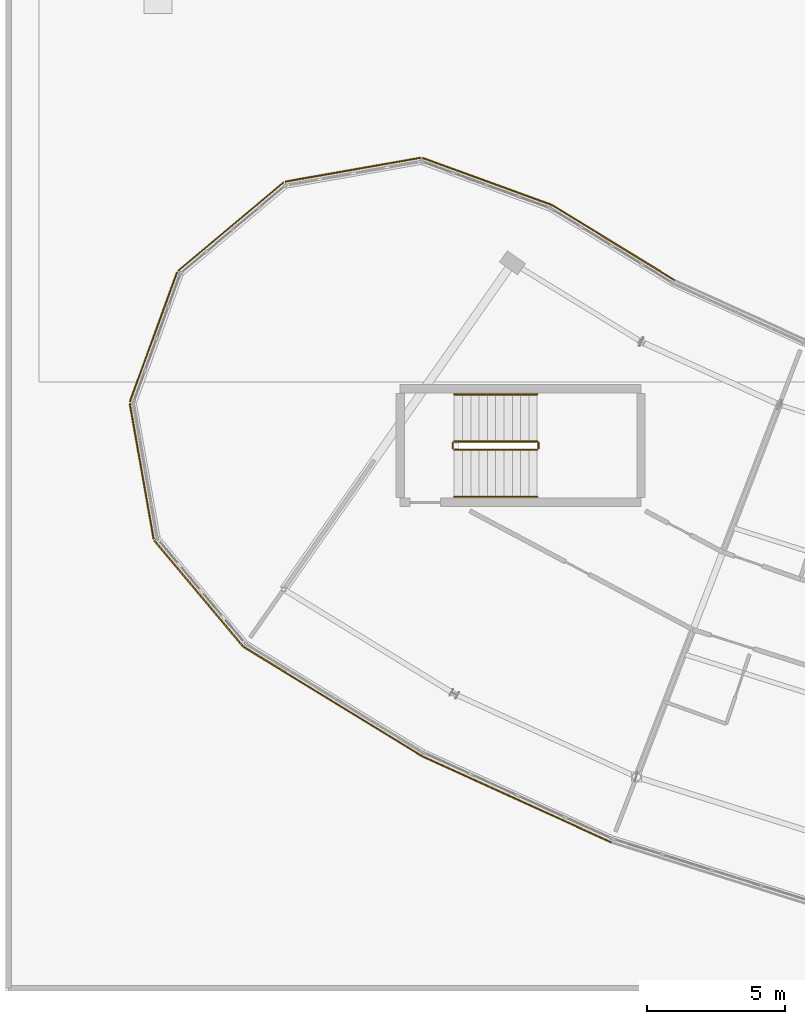
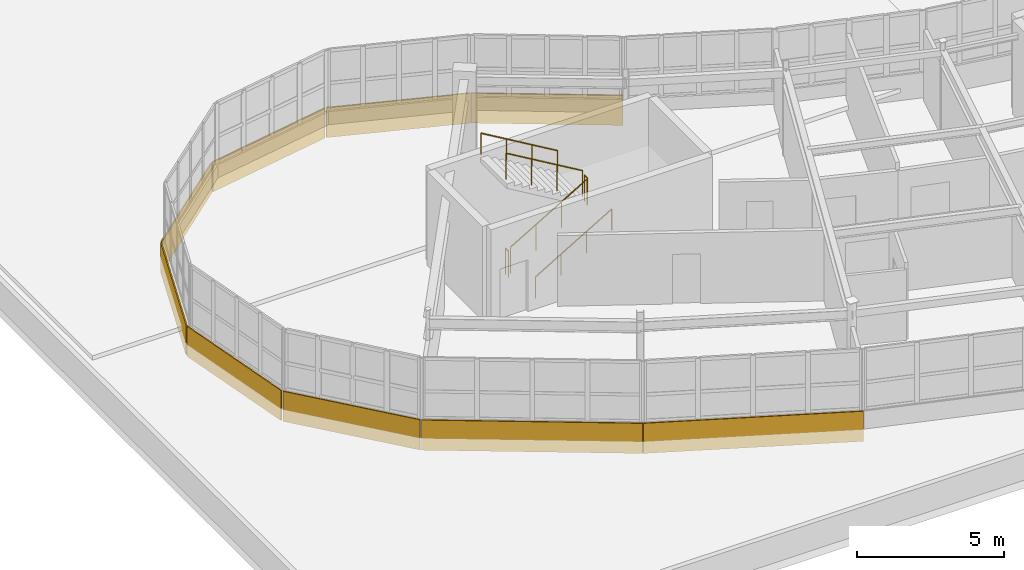
# One storey, part 114 of 128: 9 coverings, 6 railings.
"""IFC4 building model written with IfcOpenShell, lengths in metres."""

from ifc_helpers import new_model, si_unit, direction, frame, origin, origin_2d, place, context, subcontext, project, spatial, rectangle, circle, extrude, material, layer, layer_set, type_object, element, save


model = new_model("IFC4")

# Units and contexts
model_context = context("Model", 3, precision=1e-05, world=origin(), true_north=direction((0.0, 1.0)))
body_context = subcontext(model_context, "Body", "Model", "MODEL_VIEW")
ifc_project = project(units=[si_unit("LENGTHUNIT", "METRE"), si_unit("AREAUNIT", "SQUARE_METRE"), si_unit("VOLUMEUNIT", "CUBIC_METRE"), si_unit("PLANEANGLEUNIT", "RADIAN"), si_unit("MASSUNIT", "GRAM", prefix="KILO")], contexts=[model_context])

# Site, building, storey
site_placement = place(None, origin())
site = spatial("IfcSite", under=ifc_project, at=site_placement, CompositionType="ELEMENT")
building_placement = place(site_placement, origin())
building = spatial("IfcBuilding", under=site, at=building_placement, Name="Tarnwether General Hospital", CompositionType="ELEMENT")
storey_placement = place(building_placement, frame((0.0, 0.0, 14.39990234375)))
storey = spatial("IfcBuildingStorey", under=building, at=storey_placement, Name="L03", CompositionType="ELEMENT", Elevation=14.39990234375)

# Coverings
ifc_material_1 = material(Name="Streamlined white enamelled aluminium", Category="aluminium")
ifc_layer = layer(ifc_material_1, 0.044921875)
ifc_layer_set = layer_set([ifc_layer], Name="Streamlined white enamelled aluminium")
covering_type = type_object("IfcCoveringType", Name="CV-CLD-WHT", PredefinedType="CLADDING", material=ifc_layer_set)
for number, where, z_axis, x_axis, name in (
    (1, (59.805908203125, 10.4619140625, -0.1748046875), (0.0, 0.0, 1.0), (-0.852631044904, 0.522513446015, 0.0), "Streamlined White Horizontal Band SE L03 01"),
    (2, (66.447998046875, 6.929931640625, -0.1748046875), (0.0, 0.0, 1.0), (-0.909961270877, 0.414693242656, 0.0), "Streamlined White Horizontal Band SE L03 02"),
):
    element("IfcCovering", number, at=place(storey_placement, frame(where, z_axis=z_axis, x_axis=x_axis)), inside=storey, type_object=covering_type, Name=name, PredefinedType="CLADDING", context=body_context, shape_type="SweptSolid", body=[
        extrude(rectangle(XDim=7.52099609375, YDim=0.044921875, at=origin_2d()), origin(), (0.0, 0.0, 1.0), 1.25),
    ])
covering_1_placement = place(storey_placement, frame((69.9560546875, 27.028076171875, -0.1748046875), z_axis=(0.0, 0.0, 1.0), x_axis=(0.852631044904, -0.522513446015, 0.0)))
element("IfcCovering", 3, at=covering_1_placement, inside=storey, type_object=covering_type, Name="Streamlined White Horizontal Band SE L03 26", PredefinedType="CLADDING", context=body_context, shape_type="SweptSolid", body=[
    extrude(rectangle(XDim=5.177001953125, YDim=0.044921875, at=origin_2d()), origin(), (0.0, 0.0, 1.0), 1.25),
])
covering_2_placement = place(storey_placement, frame((65.39111328125, 29.241943359375, -0.1748046875), z_axis=(0.0, 0.0, 1.0), x_axis=(0.93965082813, -0.342134945884, 0.0)))
element("IfcCovering", 4, at=covering_2_placement, inside=storey, type_object=covering_type, Name="Streamlined White Horizontal Band SE L03 27", PredefinedType="CLADDING", context=body_context, shape_type="SweptSolid", body=[
    extrude(rectangle(XDim=4.968994140625, YDim=0.044921875, at=origin_2d()), origin(), (0.0, 0.0, 1.0), 1.25),
])
for number, where, z_axis, x_axis, name in (
    (5, (60.541015625, 29.666015625, -0.1748046875), (0.0, 0.0, 1.0), (0.98480472213, 0.173665365778, 0.0), "Streamlined White Horizontal Band SE L03 28"),
    (6, (56.12890625, 27.60888671875, -0.1748046875), (0.0, 0.0, 1.0), (0.765988346401, 0.642854457228, 0.0), "Streamlined White Horizontal Band SE L03 29"),
):
    element("IfcCovering", number, at=place(storey_placement, frame(where, z_axis=z_axis, x_axis=x_axis)), inside=storey, type_object=covering_type, Name=name, PredefinedType="CLADDING", context=body_context, shape_type="SweptSolid", body=[
        extrude(rectangle(XDim=4.969970703125, YDim=0.044921875, at=origin_2d()), origin(), (0.0, 0.0, 1.0), 1.25),
    ])
covering_3_placement = place(storey_placement, frame((53.3359375, 23.62109375, -0.1748046875), z_axis=(0.0, 0.0, 1.0), x_axis=(0.341954539571, 0.939716496006, 0.0)))
element("IfcCovering", 7, at=covering_3_placement, inside=storey, type_object=covering_type, Name="Streamlined White Horizontal Band SE L03 30", PredefinedType="CLADDING", context=body_context, shape_type="SweptSolid", body=[
    extrude(rectangle(XDim=4.968017578125, YDim=0.044921875, at=origin_2d()), origin(), (0.0, 0.0, 1.0), 1.25),
])
covering_4_placement = place(storey_placement, frame((52.912109375, 18.77099609375, -0.1748046875), z_axis=(0.0, 0.0, 1.0), x_axis=(-0.173459104952, 0.984841072919, 0.0)))
element("IfcCovering", 8, at=covering_4_placement, inside=storey, type_object=covering_type, Name="Streamlined White Horizontal Band SE L03 31", PredefinedType="CLADDING", context=body_context, shape_type="SweptSolid", body=[
    extrude(rectangle(XDim=4.968994140625, YDim=0.044921875, at=origin_2d()), origin(), (0.0, 0.0, 1.0), 1.25),
])
covering_5_placement = place(storey_placement, frame((54.968994140625, 14.35888671875, -0.1748046875), z_axis=(0.0, 0.0, 1.0), x_axis=(-0.642854457228, 0.765988346401, 0.0)))
element("IfcCovering", 9, at=covering_5_placement, inside=storey, type_object=covering_type, Name="Streamlined White Horizontal Band SE L03 32", PredefinedType="CLADDING", context=body_context, shape_type="SweptSolid", body=[
    extrude(rectangle(XDim=4.969970703125, YDim=0.044921875, at=origin_2d()), origin(), (0.0, 0.0, 1.0), 1.25),
])

# Railings
ifc_material_2 = material(Name="Anodised aluminium", Category="aluminium")
railing_type_1 = type_object("IfcRailingType", Name="RL-GRD-INT", PredefinedType="GUARDRAIL", material=ifc_material_2)
railing_1_placement = place(storey_placement, frame((64.199951171875, 19.550048828125, 0.177490234375)))
element("IfcRailing", 10, at=railing_1_placement, inside=storey, type_object=railing_type_1, Name="L03 ST-09 stair guard 1", PredefinedType="GUARDRAIL", context=body_context, shape_type="SweptSolid", body=[
    extrude(circle(Radius=0.02392578125, at=origin_2d()), frame((0.0, 0.0, 1.076171875), z_axis=(0.86092931783, 0.0, 0.508724591208), x_axis=(0.0, 1.0, 0.0)), (0.0, 0.0, 1.0), 3.484619140625),
    extrude(circle(Radius=0.02099609375, at=origin_2d()), origin(), (0.0, 0.0, 1.0), 1.052001953125),
    extrude(circle(Radius=0.02099609375, at=origin_2d()), frame((1.0, 0.0, 0.5908203125)), (0.0, 0.0, 1.0), 1.052001953125),
    extrude(circle(Radius=0.02099609375, at=origin_2d()), frame((2.0, 0.0, 1.181884765625)), (0.0, 0.0, 1.0), 1.052001953125),
    extrude(circle(Radius=0.02099609375, at=origin_2d()), frame((3.0, 0.0, 1.772705078125)), (0.0, 0.0, 1.0), 1.052001953125),
])
railing_2_placement = place(storey_placement, frame((67.25, 19.60009765625, 1.9501953125)))
element("IfcRailing", 11, at=railing_2_placement, inside=storey, type_object=railing_type_1, Name="L03 ST-09 stair guard 2", PredefinedType="GUARDRAIL", context=body_context, shape_type="SweptSolid", body=[
    extrude(circle(Radius=0.02392578125, at=origin_2d()), frame((0.0, 0.0, 1.076171875), z_axis=(0.0, 1.0, 0.0), x_axis=(-1.0, 0.0, 0.0)), (0.0, 0.0, 1.0), 0.199951171875),
    extrude(circle(Radius=0.02099609375, at=origin_2d()), origin(), (0.0, 0.0, 1.0), 1.052001953125),
    extrude(circle(Radius=0.02099609375, at=origin_2d()), frame((0.0, 0.199951171875, 0.0)), (0.0, 0.0, 1.0), 1.052001953125),
])
railing_3_placement = place(storey_placement, frame((67.199951171875, 19.85009765625, 2.12744140625)))
element("IfcRailing", 12, at=railing_3_placement, inside=storey, type_object=railing_type_1, Name="L03 ST-09 stair guard 3", PredefinedType="GUARDRAIL", context=body_context, shape_type="SweptSolid", body=[
    extrude(circle(Radius=0.02392578125, at=origin_2d()), frame((0.0, 0.0, 1.076171875), z_axis=(-0.86092931783, 0.0, 0.508724591208), x_axis=(0.0, -1.0, 0.0)), (0.0, 0.0, 1.0), 3.484619140625),
    extrude(circle(Radius=0.02099609375, at=origin_2d()), origin(), (0.0, 0.0, 1.0), 1.052001953125),
    extrude(circle(Radius=0.02099609375, at=origin_2d()), frame((-1.0, 0.0, 0.5908203125)), (0.0, 0.0, 1.0), 1.052001953125),
    extrude(circle(Radius=0.02099609375, at=origin_2d()), frame((-2.0, 0.0, 1.181884765625)), (0.0, 0.0, 1.0), 1.052001953125),
    extrude(circle(Radius=0.02099609375, at=origin_2d()), frame((-3.0, 0.0, 1.772705078125)), (0.0, 0.0, 1.0), 1.052001953125),
])
railing_4_placement = place(storey_placement, frame((64.14990234375, 19.60009765625, 0.0)))
element("IfcRailing", 13, at=railing_4_placement, inside=storey, type_object=railing_type_1, Name="L03 ST-09 stair guard 4", PredefinedType="GUARDRAIL", context=body_context, shape_type="SweptSolid", body=[
    extrude(circle(Radius=0.02392578125, at=origin_2d()), frame((0.0, 0.0, 1.076171875), z_axis=(0.0, 1.0, 0.0), x_axis=(-1.0, 0.0, 0.0)), (0.0, 0.0, 1.0), 0.199951171875),
    extrude(circle(Radius=0.02099609375, at=origin_2d()), origin(), (0.0, 0.0, 1.0), 1.052001953125),
    extrude(circle(Radius=0.02099609375, at=origin_2d()), frame((0.0, 0.199951171875, 0.0)), (0.0, 0.0, 1.0), 1.052001953125),
])
ifc_material_3 = material(Name="Anodised aluminium", Category="aluminium")
railing_type_2 = type_object("IfcRailingType", Name="RL-HND-INT", PredefinedType="HANDRAIL", material=ifc_material_3)
railing_5_placement = place(storey_placement, frame((64.199951171875, 17.85009765625, 0.177490234375)))
element("IfcRailing", 14, at=railing_5_placement, inside=storey, type_object=railing_type_2, Name="L03 ST-09 stair handrail 1", PredefinedType="HANDRAIL", context=body_context, shape_type="SweptSolid", body=[
    extrude(circle(Radius=0.02392578125, at=origin_2d()), frame((0.0, 0.0, 0.8759765625), z_axis=(0.86092931783, 0.0, 0.508724591208), x_axis=(0.0, 1.0, 0.0)), (0.0, 0.0, 1.0), 3.484619140625),
    extrude(circle(Radius=0.02099609375, at=origin_2d()), origin(), (0.0, 0.0, 1.0), 0.851806640625),
    extrude(circle(Radius=0.02099609375, at=origin_2d()), frame((1.0, 0.0, 0.5908203125)), (0.0, 0.0, 1.0), 0.851806640625),
    extrude(circle(Radius=0.02099609375, at=origin_2d()), frame((2.0, 0.0, 1.181884765625)), (0.0, 0.0, 1.0), 0.851806640625),
    extrude(circle(Radius=0.02099609375, at=origin_2d()), frame((3.0, 0.0, 1.772705078125)), (0.0, 0.0, 1.0), 0.851806640625),
])
railing_6_placement = place(storey_placement, frame((67.199951171875, 21.550048828125, 2.12744140625)))
element("IfcRailing", 15, at=railing_6_placement, inside=storey, type_object=railing_type_2, Name="L03 ST-09 stair handrail 2", PredefinedType="HANDRAIL", context=body_context, shape_type="SweptSolid", body=[
    extrude(circle(Radius=0.02392578125, at=origin_2d()), frame((0.0, 0.0, 0.8759765625), z_axis=(-0.86092931783, 0.0, 0.508724591208), x_axis=(0.0, -1.0, 0.0)), (0.0, 0.0, 1.0), 3.484619140625),
    extrude(circle(Radius=0.02099609375, at=origin_2d()), origin(), (0.0, 0.0, 1.0), 0.851806640625),
    extrude(circle(Radius=0.02099609375, at=origin_2d()), frame((-1.0, 0.0, 0.5908203125)), (0.0, 0.0, 1.0), 0.851806640625),
    extrude(circle(Radius=0.02099609375, at=origin_2d()), frame((-2.0, 0.0, 1.181884765625)), (0.0, 0.0, 1.0), 0.851806640625),
    extrude(circle(Radius=0.02099609375, at=origin_2d()), frame((-3.0, 0.0, 1.772705078125)), (0.0, 0.0, 1.0), 0.851806640625),
])

save(model, "model.ifc")
